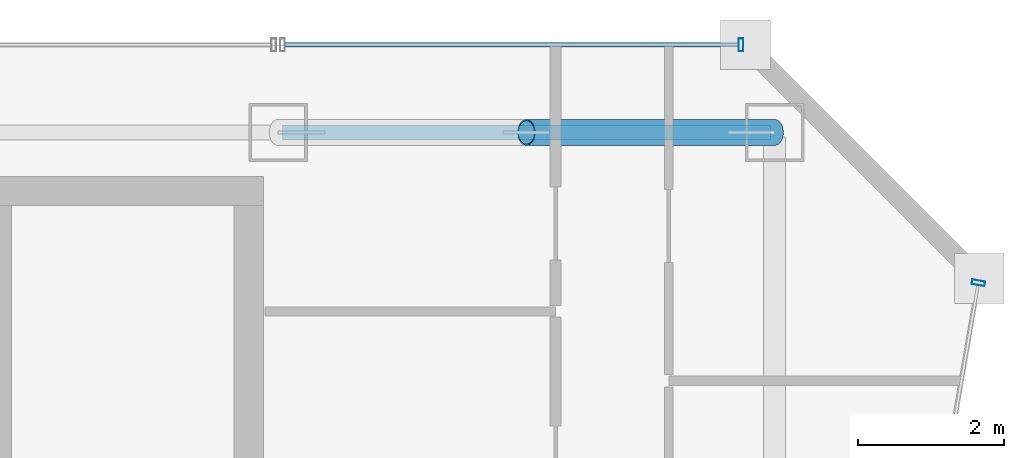
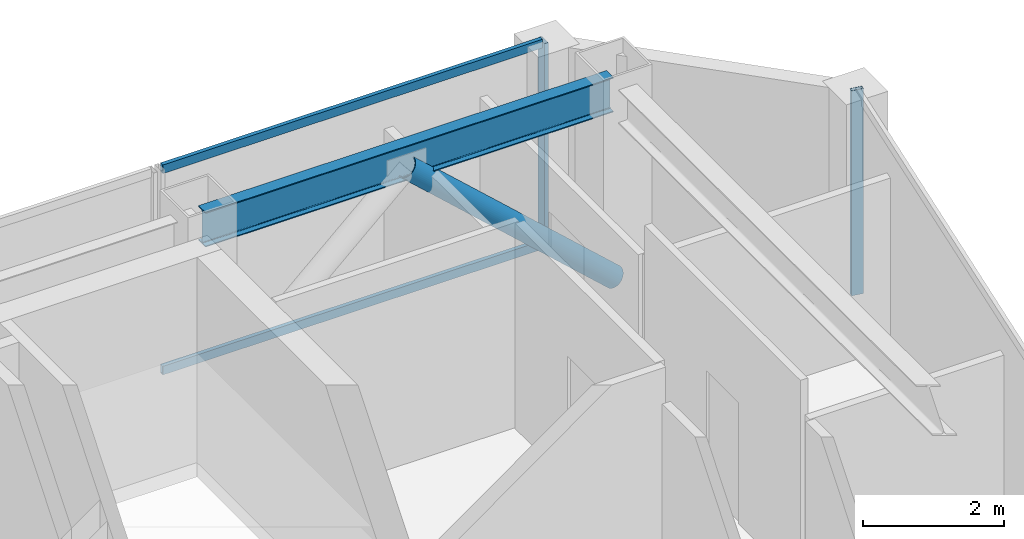
# One storey, part 23 of 33: 5 members, 1 beam, 2 elements without a shape of their own.
"""IFC4 building model written with IfcOpenShell, lengths in metres."""

from ifc_helpers import new_model, si_unit, direction, frame, origin, origin_2d, place, context, subcontext, project, spatial, hollow_rectangle, hollow_circle, i_section, extrude, material, material_profile, profile_set, type_object, element, aggregate, save


model = new_model("IFC4")

# Units and contexts
model_context = context("Model", 3, precision=1e-05, world=origin(), true_north=direction((0.0, 1.0)))
body_context = subcontext(model_context, "Body", "Model", "MODEL_VIEW")
ifc_project = project(units=[si_unit("LENGTHUNIT", "METRE"), si_unit("AREAUNIT", "SQUARE_METRE"), si_unit("VOLUMEUNIT", "CUBIC_METRE"), si_unit("PLANEANGLEUNIT", "RADIAN"), si_unit("MASSUNIT", "GRAM", prefix="KILO")], contexts=[model_context])

# Site, building, storey
site_placement = place(None, origin())
site = spatial("IfcSite", under=ifc_project, at=site_placement, CompositionType="ELEMENT")
building_placement = place(site_placement, origin())
building = spatial("IfcBuilding", under=site, at=building_placement, Name="Saevonmaru Cultural Tower", CompositionType="ELEMENT")
storey_placement = place(building_placement, frame((0.0, 0.0, 238.199951171875)))
storey = spatial("IfcBuildingStorey", under=building, at=storey_placement, Name="L55", CompositionType="ELEMENT", Elevation=238.199951171875)

# Beam
ifc_material_1 = material(Name="Steel SM355", Category="steel")
ifc_material_profile_1 = material_profile(ifc_material_1, i_section(OverallWidth=0.199951171875, OverallDepth=0.60009765625, WebThickness=0.010986328125, FlangeThickness=0.01708984375, FilletRadius=0.02197265625, at=origin_2d()), Name="H-600x200x11x17")
ifc_profile_set_1 = profile_set([ifc_material_profile_1], Name="Steel SM355")
beam_type = type_object("IfcBeamType", Name="BM-SP-H600", PredefinedType="SPANDREL", material=ifc_profile_set_1)
beam_placement = place(storey_placement, frame((46.4599609375, 54.800048828125, 3.25), z_axis=(1.0, 0.0, 0.0), x_axis=(0.0, 1.0, 0.0)))
element("IfcBeam", 1, at=beam_placement, inside=storey, type_object=beam_type, Name="L55 North Spine Girder 5", PredefinedType="SPANDREL", context=body_context, shape_type="SweptSolid", body=[
    extrude(i_section(OverallWidth=0.199951171875, OverallDepth=0.60009765625, WebThickness=0.010986328125, FlangeThickness=0.01708984375, FilletRadius=0.02197265625, at=origin_2d()), origin(), (0.0, 0.0, 1.0), 6.679931640625),
])

# Member
ifc_material_profile_2 = material_profile(ifc_material_1, hollow_circle(Radius=0.177734375, WallThickness=0.01611328125, at=origin_2d()), Name="CHS-355.6x16")
ifc_profile_set_2 = profile_set([ifc_material_profile_2], Name="Steel SM355")
member_type_1 = type_object("IfcMemberType", Name="MB-PBR-CHS356", PredefinedType="BRACE", material=ifc_profile_set_2)
member_1_placement = place(storey_placement, frame((53.199951171875, 54.800048828125, 0.02001953125), z_axis=(-0.738935641579, 0.0, 0.673776014417), x_axis=(0.0, -1.0, 0.0)))
element("IfcMember", 2, at=member_1_placement, inside=storey, type_object=member_type_1, Name="L55 Perimeter Braced-Tube Diagonal EN2", PredefinedType="BRACE", context=body_context, shape_type="SweptSolid", body=[
    extrude(hollow_circle(Radius=0.177734375, WallThickness=0.01611328125, at=origin_2d()), origin(), (0.0, 0.0, 1.0), 4.60107421875),
])

# Curtain wall, member
ifc_material_2 = material(Name="Satin Bronze Anodised Aluminium", Category="aluminium")
curtain_wall_type = type_object("IfcCurtainWallType", Name="CW-TYP-B", PredefinedType="NOTDEFINED", material=ifc_material_2)
curtain_wall_1_placement = place(storey_placement, origin())
curtain_wall_1 = element("IfcCurtainWall", 3, at=curtain_wall_1_placement, inside=storey, type_object=curtain_wall_type, Name="L55 Unitised Curtain Wall E8", PredefinedType="NOTDEFINED")
ifc_material_profile_3 = material_profile(ifc_material_2, hollow_rectangle(XDim=0.06494140625, YDim=0.179931640625, WallThickness=0.00390625, at=origin_2d()), Name="ALU-MULL-180x65x4")
ifc_profile_set_3 = profile_set([ifc_material_profile_3], Name="Satin Bronze Anodised Aluminium")
member_type_2 = type_object("IfcMemberType", Name="ML-CW-180x65", PredefinedType="MULLION", material=ifc_profile_set_3)
member_2_placement = place(storey_placement, frame((55.98974609375, 52.740966796875, 0.0), z_axis=(0.0, 0.0, 1.0), x_axis=(0.170790369887, 0.985307388359, 0.0)))
member_2 = element("IfcMember", 4, at=member_2_placement, type_object=member_type_2, Name="CW-TW-L55-E8 mullion 4", PredefinedType="MULLION", context=body_context, shape_type="SweptSolid", body=[
    extrude(hollow_rectangle(XDim=0.06494140625, YDim=0.179931640625, WallThickness=0.00390625, at=origin_2d()), origin(), (0.0, 0.0, 1.0), 3.550048828125),
])
aggregate(curtain_wall_1, [member_2])

# Curtain wall, members
curtain_wall_2_placement = place(storey_placement, origin())
curtain_wall_2 = element("IfcCurtainWall", 5, at=curtain_wall_2_placement, inside=storey, type_object=curtain_wall_type, Name="L55 East Braced Bay Spandrel Curtain Wall E10A", PredefinedType="NOTDEFINED")
member_3_placement = place(storey_placement, frame((52.739990234375, 56.0, 0.0), z_axis=(0.0, 0.0, 1.0), x_axis=(-1.0, 0.0, 0.0)))
member_3 = element("IfcMember", 6, at=member_3_placement, type_object=member_type_2, Name="CW-TW-L55-E10A mullion 1", PredefinedType="MULLION", context=body_context, shape_type="SweptSolid", body=[
    extrude(hollow_rectangle(XDim=0.06494140625, YDim=0.179931640625, WallThickness=0.00390625, at=origin_2d()), origin(), (0.0, 0.0, 1.0), 3.550048828125),
])
ifc_material_profile_4 = material_profile(ifc_material_2, hollow_rectangle(XDim=0.06494140625, YDim=0.14990234375, WallThickness=0.00390625, at=origin_2d()), Name="ALU-TRAN-150x65x4")
ifc_profile_set_4 = profile_set([ifc_material_profile_4], Name="Satin Bronze Anodised Aluminium")
member_type_3 = type_object("IfcMemberType", Name="TR-CW-150x65", PredefinedType="USERDEFINED", material=ifc_profile_set_4)
member_4_placement = place(storey_placement, frame((52.70751953125, 56.0, 0.032470703125), z_axis=(-1.0, 0.0, 0.0), x_axis=(0.0, -1.0, 0.0)))
member_4 = element("IfcMember", 7, at=member_4_placement, type_object=member_type_3, Name="CW-TW-L55-E10A transom 1.1", ObjectType="TRANSOM", PredefinedType="USERDEFINED", context=body_context, shape_type="SweptSolid", body=[
    extrude(hollow_rectangle(XDim=0.06494140625, YDim=0.14990234375, WallThickness=0.00390625, at=origin_2d()), origin(), (0.0, 0.0, 1.0), 6.215087890625),
])
member_5_placement = place(storey_placement, frame((52.70751953125, 56.0, 3.517578125), z_axis=(-1.0, 0.0, 0.0), x_axis=(0.0, -1.0, 0.0)))
member_5 = element("IfcMember", 8, at=member_5_placement, type_object=member_type_3, Name="CW-TW-L55-E10A transom 1.2", ObjectType="TRANSOM", PredefinedType="USERDEFINED", context=body_context, shape_type="SweptSolid", body=[
    extrude(hollow_rectangle(XDim=0.06494140625, YDim=0.14990234375, WallThickness=0.00390625, at=origin_2d()), origin(), (0.0, 0.0, 1.0), 6.215087890625),
])
aggregate(curtain_wall_2, [member_3, member_4, member_5])

save(model, "model.ifc")
